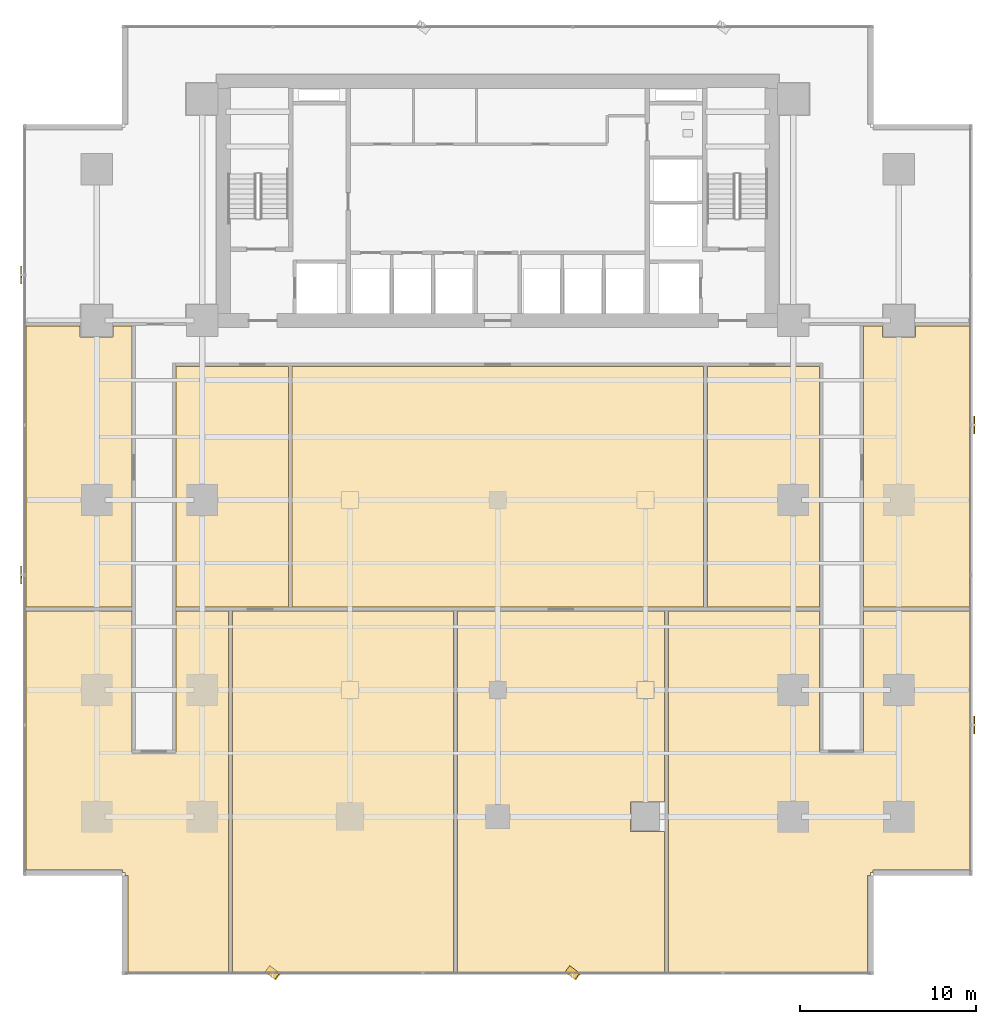
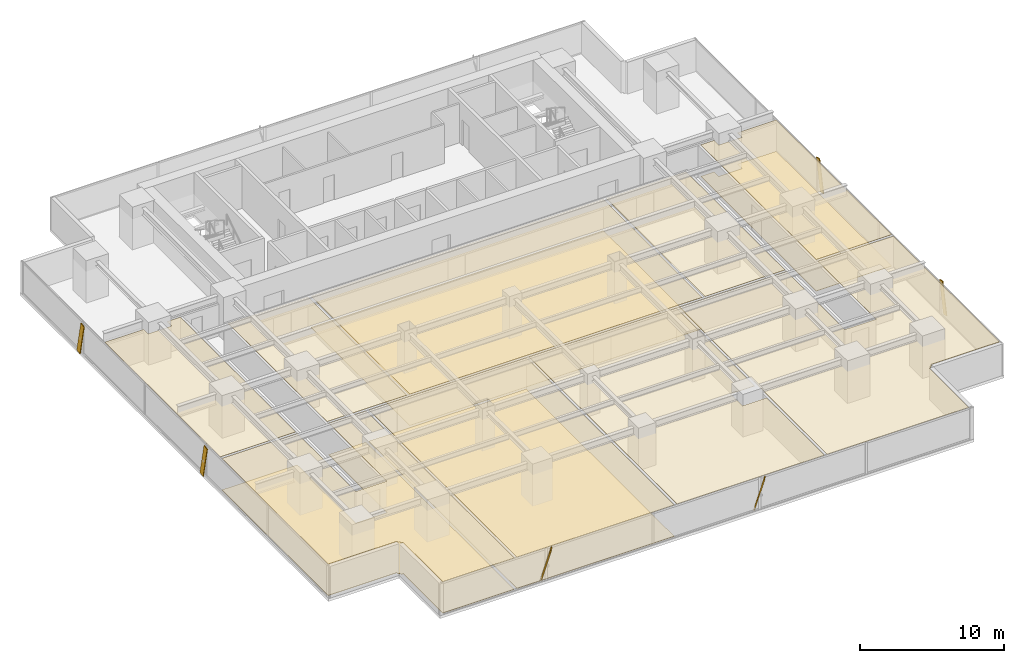
# One storey, part 29 of 33: 13 coverings, 6 shading devices.
"""IFC4 building model written with IfcOpenShell, lengths in metres."""

from ifc_helpers import new_model, si_unit, direction, frame, origin, origin_2d, place, context, subcontext, project, spatial, polyline, rectangle, outline, extrude, source, transform, mapped, material, layer, layer_set, material_profile, profile_set, type_object, element, save


model = new_model("IFC4")

# Units and contexts
model_context = context("Model", 3, precision=1e-05, world=origin(), true_north=direction((0.0, 1.0)))
body_context = subcontext(model_context, "Body", "Model", "MODEL_VIEW")
ifc_project = project(units=[si_unit("LENGTHUNIT", "METRE"), si_unit("AREAUNIT", "SQUARE_METRE"), si_unit("VOLUMEUNIT", "CUBIC_METRE"), si_unit("PLANEANGLEUNIT", "RADIAN"), si_unit("MASSUNIT", "GRAM", prefix="KILO")], contexts=[model_context])

# Site, building, storey
site_placement = place(None, origin())
site = spatial("IfcSite", under=ifc_project, at=site_placement, CompositionType="ELEMENT")
building_placement = place(site_placement, origin())
building = spatial("IfcBuilding", under=site, at=building_placement, Name="Sumidabori Civic Tower", CompositionType="ELEMENT")
storey_placement = place(building_placement, frame((0.0, 0.0, 66.800048828125)))
storey = spatial("IfcBuildingStorey", under=building, at=storey_placement, Name="L17", CompositionType="ELEMENT", Elevation=66.800048828125)

# Coverings
ifc_material_1 = material(Name="Acoustic Mineral Gypsum Ceiling Tile")
ifc_layer_1 = layer(ifc_material_1, 0.034912109375, Name="Acoustic Mineral Gypsum Ceiling Tile")
ifc_layer_set_1 = layer_set([ifc_layer_1], Name="Acoustic Mineral Gypsum Ceiling Tile")
covering_type_1 = type_object("IfcCoveringType", Name="CV-CEIL-AC1", PredefinedType="CEILING", material=ifc_layer_set_1)
covering_1_placement = place(storey_placement, frame((0.0, 0.0, 2.64990234375)))
element("IfcCovering", 1, at=covering_1_placement, inside=storey, type_object=covering_type_1, Name="Room Acoustic Ceiling L17-02", PredefinedType="CEILING", context=body_context, shape_type="SweptSolid", body=[
    extrude(outline(polyline([(-26.830078125, -6.090087890625), (-26.830078125, 9.889892578125), (-23.739990234375, 9.889892578125), (-23.739990234375, 9.260009765625), (-21.860107421875, 9.260009765625), (-21.860107421875, 9.889892578125), (-20.800048828125, 9.889892578125), (-20.800048828125, -6.090087890625), (-26.830078125, -6.090087890625)])), origin(), (0.0, 0.0, 1.0), 0.03515625),
])
covering_2_placement = place(storey_placement, frame((0.0, 0.0, 2.64990234375)))
element("IfcCovering", 2, at=covering_2_placement, inside=storey, type_object=covering_type_1, Name="Room Acoustic Ceiling L17-03", PredefinedType="CEILING", context=body_context, shape_type="SweptSolid", body=[
    extrude(outline(polyline([(20.800048828125, 9.889892578125), (21.860107421875, 9.889892578125), (21.860107421875, 9.260009765625), (23.739990234375, 9.260009765625), (23.739990234375, 9.889892578125), (26.830078125, 9.889892578125), (26.830078125, -6.090087890625), (20.800048828125, -6.090087890625), (20.800048828125, 9.889892578125)])), origin(), (0.0, 0.0, 1.0), 0.03515625),
])
covering_3_placement = place(storey_placement, frame((0.0, 0.0, 2.64990234375)))
element("IfcCovering", 3, at=covering_3_placement, inside=storey, type_object=covering_type_1, Name="Room Acoustic Ceiling L17-04", PredefinedType="CEILING", context=body_context, shape_type="SweptSolid", body=[
    extrude(outline(polyline([(-18.300048828125, 7.60009765625), (-11.909912109375, 7.60009765625), (-11.909912109375, -6.090087890625), (-18.300048828125, -6.090087890625), (-18.300048828125, 7.60009765625)])), origin(), (0.0, 0.0, 1.0), 0.03515625),
])
covering_4_placement = place(storey_placement, frame((0.0, 0.0, 2.64990234375)))
element("IfcCovering", 4, at=covering_4_placement, inside=storey, type_object=covering_type_1, Name="Room Acoustic Ceiling L17-05", PredefinedType="CEILING", context=body_context, shape_type="SweptSolid", body=[
    extrude(outline(polyline([(-11.68994140625, 7.60009765625), (11.68994140625, 7.60009765625), (11.68994140625, -6.090087890625), (-11.68994140625, -6.090087890625), (-11.68994140625, 7.60009765625)])), origin(), (0.0, 0.0, 1.0), 0.03515625),
])
covering_5_placement = place(storey_placement, frame((0.0, 0.0, 2.64990234375)))
element("IfcCovering", 5, at=covering_5_placement, inside=storey, type_object=covering_type_1, Name="Room Acoustic Ceiling L17-06", PredefinedType="CEILING", context=body_context, shape_type="SweptSolid", body=[
    extrude(outline(polyline([(11.909912109375, 7.60009765625), (18.300048828125, 7.60009765625), (18.300048828125, -6.090087890625), (11.909912109375, -6.090087890625), (11.909912109375, 7.60009765625)])), origin(), (0.0, 0.0, 1.0), 0.03515625),
])
covering_6_placement = place(storey_placement, frame((0.0, 0.0, 2.64990234375)))
element("IfcCovering", 6, at=covering_6_placement, inside=storey, type_object=covering_type_1, Name="Room Acoustic Ceiling L17-07", PredefinedType="CEILING", context=body_context, shape_type="SweptSolid", body=[
    extrude(outline(polyline([(-26.830078125, -21.02197265625), (-26.830078125, -6.31005859375), (-20.800048828125, -6.31005859375), (-20.800048828125, -14.39990234375), (-18.300048828125, -14.39990234375), (-18.300048828125, -6.31005859375), (-15.31005859375, -6.31005859375), (-15.31005859375, -26.830078125), (-21.02197265625, -26.830078125), (-21.02197265625, -21.342041015625), (-21.179931640625, -21.342041015625), (-21.179931640625, -21.179931640625), (-21.342041015625, -21.179931640625), (-21.342041015625, -21.02197265625), (-26.830078125, -21.02197265625)])), origin(), (0.0, 0.0, 1.0), 0.03515625),
])
covering_7_placement = place(storey_placement, frame((0.0, 0.0, 2.64990234375)))
element("IfcCovering", 7, at=covering_7_placement, inside=storey, type_object=covering_type_1, Name="Room Acoustic Ceiling L17-08", PredefinedType="CEILING", context=body_context, shape_type="SweptSolid", body=[
    extrude(outline(polyline([(18.300048828125, -14.39990234375), (20.800048828125, -14.39990234375), (20.800048828125, -6.31005859375), (26.830078125, -6.31005859375), (26.830078125, -21.02197265625), (21.342041015625, -21.02197265625), (21.342041015625, -21.179931640625), (21.179931640625, -21.179931640625), (21.179931640625, -21.342041015625), (21.02197265625, -21.342041015625), (21.02197265625, -26.830078125), (9.7099609375, -26.830078125), (9.7099609375, -6.31005859375), (18.300048828125, -6.31005859375), (18.300048828125, -14.39990234375)])), origin(), (0.0, 0.0, 1.0), 0.03515625),
])
covering_8_placement = place(storey_placement, frame((0.0, 0.0, 2.64990234375)))
element("IfcCovering", 8, at=covering_8_placement, inside=storey, type_object=covering_type_1, Name="Room Acoustic Ceiling L17-09", PredefinedType="CEILING", context=body_context, shape_type="SweptSolid", body=[
    extrude(outline(polyline([(-2.510009765625, -26.830078125), (-15.090087890625, -26.830078125), (-15.090087890625, -6.31005859375), (-2.510009765625, -6.31005859375), (-2.510009765625, -26.830078125)])), origin(), (0.0, 0.0, 1.0), 0.03515625),
])
covering_9_placement = place(storey_placement, frame((0.0, 0.0, 2.64990234375)))
element("IfcCovering", 9, at=covering_9_placement, inside=storey, type_object=covering_type_1, Name="Room Acoustic Ceiling L17-10", PredefinedType="CEILING", context=body_context, shape_type="SweptSolid", body=[
    extrude(outline(polyline([(9.489990234375, -17.159912109375), (7.56005859375, -17.159912109375), (7.56005859375, -18.840087890625), (9.489990234375, -18.840087890625), (9.489990234375, -26.830078125), (-2.2900390625, -26.830078125), (-2.2900390625, -6.31005859375), (9.489990234375, -6.31005859375), (9.489990234375, -17.159912109375)])), origin(), (0.0, 0.0, 1.0), 0.03515625),
])
ifc_material_2 = material(Name="Honed Terrazzo Tile Flooring")
ifc_layer_2 = layer(ifc_material_2, 0.030029296875, Name="Honed Terrazzo Tile Flooring")
ifc_layer_set_2 = layer_set([ifc_layer_2], Name="Honed Terrazzo Tile Flooring")
covering_type_2 = type_object("IfcCoveringType", Name="CV-FLR-TER", PredefinedType="FLOORING", material=ifc_layer_set_2)
covering_10_placement = place(storey_placement, origin())
element("IfcCovering", 10, at=covering_10_placement, inside=storey, type_object=covering_type_2, Name="Room Terrazzo Floor L17-03", PredefinedType="FLOORING", context=body_context, shape_type="SweptSolid", body=[
    extrude(outline(polyline([(20.800048828125, 9.889892578125), (21.860107421875, 9.889892578125), (21.860107421875, 9.260009765625), (23.739990234375, 9.260009765625), (23.739990234375, 9.889892578125), (26.830078125, 9.889892578125), (26.830078125, -6.090087890625), (20.800048828125, -6.090087890625), (20.800048828125, 9.889892578125)])), origin(), (0.0, 0.0, 1.0), 0.030029296875),
])
covering_11_placement = place(storey_placement, origin())
element("IfcCovering", 11, at=covering_11_placement, inside=storey, type_object=covering_type_2, Name="Room Terrazzo Floor L17-05", PredefinedType="FLOORING", context=body_context, shape_type="SweptSolid", body=[
    extrude(outline(polyline([(-11.68994140625, 7.60009765625), (11.68994140625, 7.60009765625), (11.68994140625, -6.090087890625), (-11.68994140625, -6.090087890625), (-11.68994140625, 7.60009765625)])), origin(), (0.0, 0.0, 1.0), 0.030029296875),
])
covering_12_placement = place(storey_placement, origin())
element("IfcCovering", 12, at=covering_12_placement, inside=storey, type_object=covering_type_2, Name="Room Terrazzo Floor L17-07", PredefinedType="FLOORING", context=body_context, shape_type="SweptSolid", body=[
    extrude(outline(polyline([(-26.830078125, -21.02197265625), (-26.830078125, -6.31005859375), (-20.800048828125, -6.31005859375), (-20.800048828125, -14.39990234375), (-18.300048828125, -14.39990234375), (-18.300048828125, -6.31005859375), (-15.31005859375, -6.31005859375), (-15.31005859375, -26.830078125), (-21.02197265625, -26.830078125), (-21.02197265625, -21.342041015625), (-21.179931640625, -21.342041015625), (-21.179931640625, -21.179931640625), (-21.342041015625, -21.179931640625), (-21.342041015625, -21.02197265625), (-26.830078125, -21.02197265625)])), origin(), (0.0, 0.0, 1.0), 0.030029296875),
])
covering_13_placement = place(storey_placement, origin())
element("IfcCovering", 13, at=covering_13_placement, inside=storey, type_object=covering_type_2, Name="Room Terrazzo Floor L17-09", PredefinedType="FLOORING", context=body_context, shape_type="SweptSolid", body=[
    extrude(outline(polyline([(-2.510009765625, -26.830078125), (-15.090087890625, -26.830078125), (-15.090087890625, -6.31005859375), (-2.510009765625, -6.31005859375), (-2.510009765625, -26.830078125)])), origin(), (0.0, 0.0, 1.0), 0.030029296875),
])

# Shading devices
ifc_material_3 = material(Name="Anodised Bronze Aluminium AW-6063-T6", Category="aluminium")
ifc_material_profile = material_profile(ifc_material_3, rectangle(XDim=0.06005859375, YDim=0.449951171875, at=origin_2d()), Name="BRONZE FIN 450x60")
ifc_profile_set = profile_set([ifc_material_profile], Name="Anodised Bronze Aluminium AW-6063-T6")
shading_device_type = type_object("IfcShadingDeviceType", Name="SH-FIN-450", PredefinedType="USERDEFINED", material=ifc_profile_set)
shared_shape_1 = source(origin(), body_context, "Body", "SweptSolid", [
    extrude(rectangle(XDim=0.06005859375, YDim=0.449951171875, at=origin_2d()), origin(), (0.0, 0.0, 1.0), 2.7119140625),
])
for number, where, z_axis, x_axis, name in (
    (14, (-13.072021484375, -26.669921875, 0.02001953125), (0.206525378956, -0.154939048467, 0.966095833294), (0.77279580864, -0.579765294974, -0.258183734756), "Bronze Anodised Diagonal Fin L17-01"),
    (15, (3.98388671875, -26.669921875, 0.02001953125), (0.206525378956, -0.154939048467, 0.966095833294), (0.77279580864, -0.579765294974, -0.258183734756), "Bronze Anodised Diagonal Fin L17-03"),
):
    element("IfcShadingDevice", number, at=place(storey_placement, frame(where, z_axis=z_axis, x_axis=x_axis)), inside=storey, type_object=shading_device_type, Name=name, ObjectType="FIN", PredefinedType="USERDEFINED", context=body_context, shape_type="MappedRepresentation", body=[
        mapped(shared_shape_1, transform((0.0, 0.0, 0.0), x_axis=(1.0, 0.0, 0.0), y_axis=(0.0, 1.0, 0.0), z_axis=(0.0, 0.0, 1.0), scale=1.0)),
    ])
shared_shape_2 = source(origin(), body_context, "Body", "SweptSolid", [
    extrude(rectangle(XDim=0.06005859375, YDim=0.449951171875, at=origin_2d()), origin(), (0.0, 0.0, 1.0), 2.678955078125),
])
for number, where, z_axis, x_axis, name in (
    (16, (27.090087890625, -13.072021484375, 0.02001953125), (0.0, 0.209049858542, 0.977904983443), (-1.0, 0.0, 0.0), "Bronze Anodised Diagonal Fin L17-01"),
    (17, (27.090087890625, 3.98388671875, 0.02001953125), (0.0, 0.209049858542, 0.977904983443), (-1.0, 0.0, 0.0), "Bronze Anodised Diagonal Fin L17-03"),
    (18, (-27.090087890625, 13.072021484375, 0.02001953125), (0.0, -0.209049858542, 0.977904983443), (-1.0, 0.0, 0.0), "Bronze Anodised Diagonal Fin L17-01"),
    (19, (-27.090087890625, -3.98388671875, 0.02001953125), (0.0, -0.209049858542, 0.977904983443), (-1.0, 0.0, 0.0), "Bronze Anodised Diagonal Fin L17-03"),
):
    element("IfcShadingDevice", number, at=place(storey_placement, frame(where, z_axis=z_axis, x_axis=x_axis)), inside=storey, type_object=shading_device_type, Name=name, ObjectType="FIN", PredefinedType="USERDEFINED", context=body_context, shape_type="MappedRepresentation", body=[
        mapped(shared_shape_2, transform((0.0, 0.0, 0.0), x_axis=(1.0, 0.0, 0.0), y_axis=(0.0, 1.0, 0.0), z_axis=(0.0, 0.0, 1.0), scale=1.0)),
    ])

save(model, "model.ifc")
